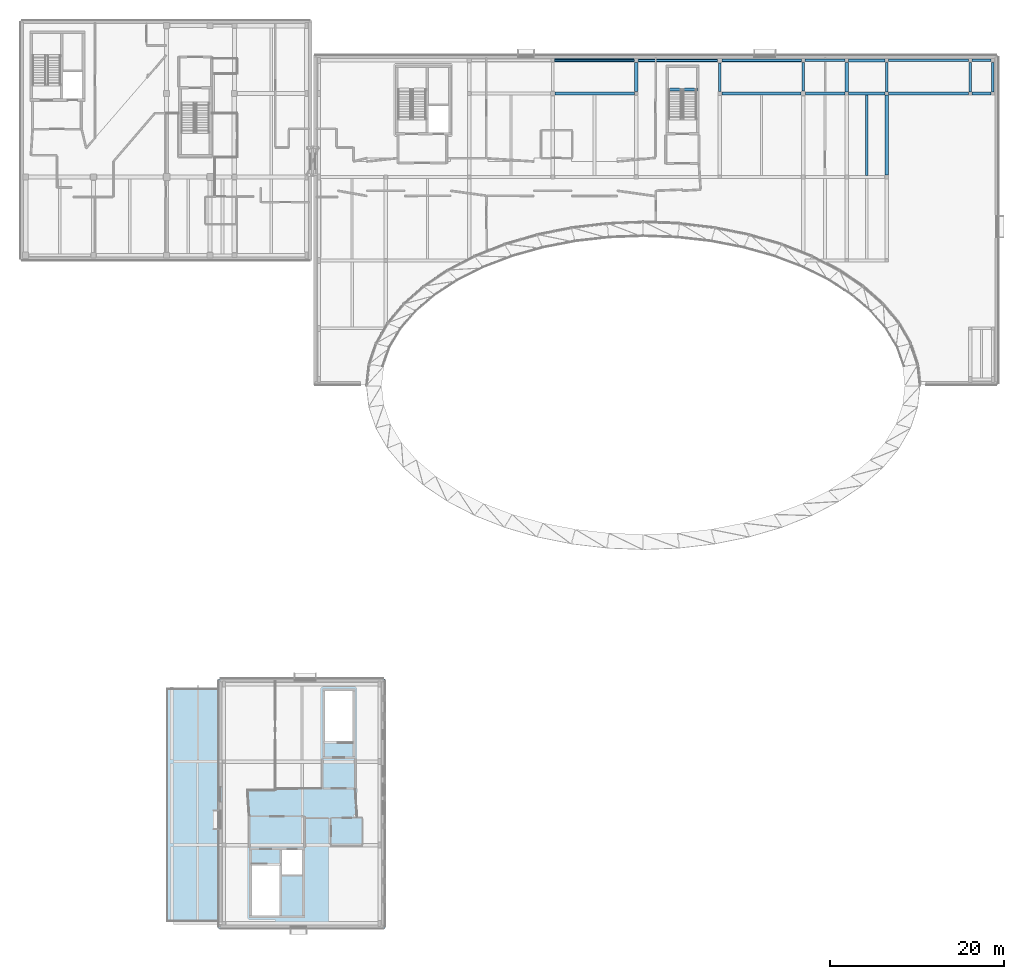
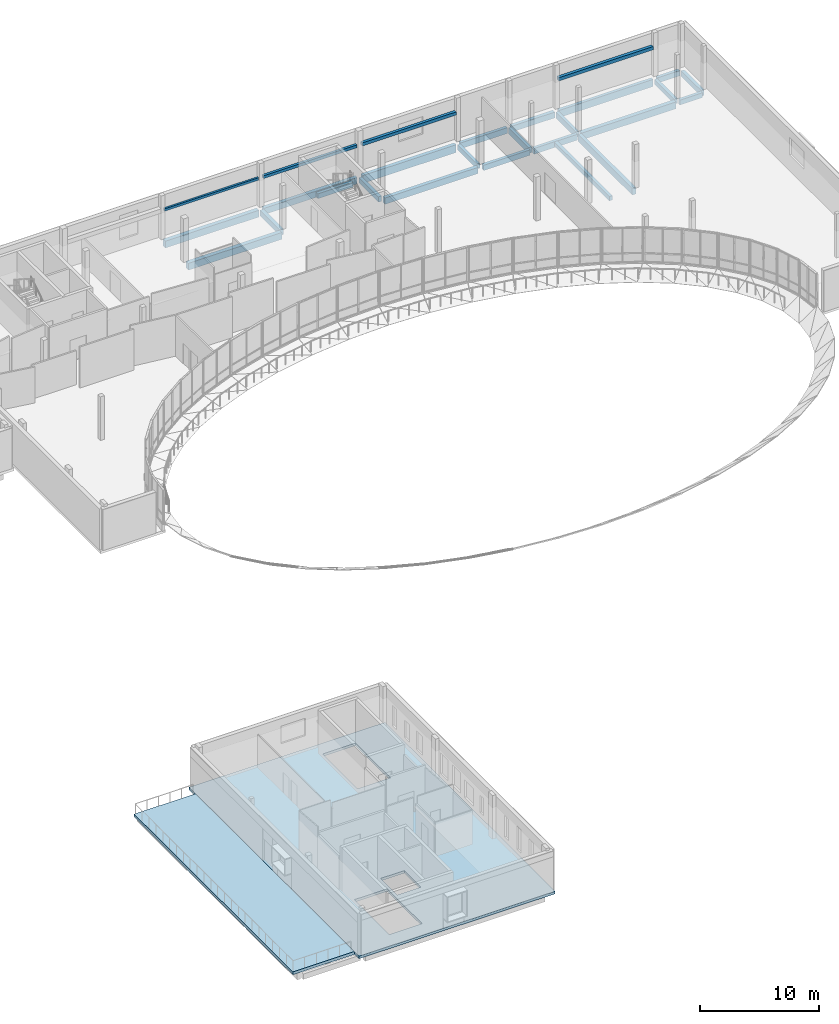
# One storey, part 17 of 41: 27 beams, 2 slabs.
"""IFC4 building model written with IfcOpenShell, lengths in metres."""

from ifc_helpers import new_model, si_unit, direction, frame, origin, origin_2d, place, context, subcontext, project, spatial, polyline, rectangle, outline, extrude, material, layer, layer_set, material_profile, profile_set, type_object, element, save


model = new_model("IFC4")

# Units and contexts
model_context = context("Model", 3, precision=1e-05, world=origin(), true_north=direction((0.0, 1.0)))
body_context = subcontext(model_context, "Body", "Model", "MODEL_VIEW")
ifc_project = project(units=[si_unit("LENGTHUNIT", "METRE"), si_unit("AREAUNIT", "SQUARE_METRE"), si_unit("VOLUMEUNIT", "CUBIC_METRE"), si_unit("PLANEANGLEUNIT", "RADIAN"), si_unit("MASSUNIT", "GRAM", prefix="KILO")], contexts=[model_context])

# Site, building, storey
site_placement = place(None, origin())
site = spatial("IfcSite", under=ifc_project, at=site_placement, CompositionType="ELEMENT")
building_placement = place(site_placement, origin())
building = spatial("IfcBuilding", under=site, at=building_placement, Name="Mzevani Central Library", CompositionType="ELEMENT")
storey_placement = place(building_placement, frame((0.0, 0.0, 13.800048828125)))
storey = spatial("IfcBuildingStorey", under=building, at=storey_placement, Name="L03", CompositionType="ELEMENT", Elevation=13.800048828125)

# Beams
ifc_material_1 = material(Name="Concrete C35/45", Category="concrete")
ifc_material_profile_1 = material_profile(ifc_material_1, rectangle(XDim=0.300048828125, YDim=0.5, at=origin_2d()), Name="RC B300x500")
ifc_profile_set_1 = profile_set([ifc_material_profile_1], Name="Concrete C35/45")
beam_type_1 = type_object("IfcBeamType", Name="Beam RC 300x500", PredefinedType="BEAM", material=ifc_profile_set_1)
beam_1_placement = place(storey_placement, frame((121.800048828125, 109.60009765625, -0.530029296875), z_axis=(1.0, 0.0, 0.0), x_axis=(0.0, 1.0, 0.0)))
element("IfcBeam", 1, at=beam_1_placement, inside=storey, type_object=beam_type_1, Name="L03 V3 Girder B-01 (652)", PredefinedType="BEAM", context=body_context, shape_type="SweptSolid", body=[
    extrude(rectangle(XDim=0.300048828125, YDim=0.5, at=origin_2d()), origin(), (0.0, 0.0, 1.0), 2.199951171875),
])
beam_2_placement = place(storey_placement, frame((102.39990234375, 109.875, -0.530029296875), z_axis=(0.0, 1.0, 0.0), x_axis=(-1.0, 0.0, 0.0)))
element("IfcBeam", 2, at=beam_2_placement, inside=storey, type_object=beam_type_1, Name="L03 V3 Frame Beam B-01 (680)", PredefinedType="BEAM", context=body_context, shape_type="SweptSolid", body=[
    extrude(rectangle(XDim=0.300048828125, YDim=0.5, at=origin_2d()), origin(), (0.0, 0.0, 1.0), 3.300048828125),
])
beam_3_placement = place(storey_placement, frame((121.60009765625, 109.800048828125, -0.530029296875), z_axis=(0.0, 1.0, 0.0), x_axis=(-1.0, 0.0, 0.0)))
element("IfcBeam", 3, at=beam_3_placement, inside=storey, type_object=beam_type_1, Name="L03 V3 Frame Beam B-01 (688)", PredefinedType="BEAM", context=body_context, shape_type="SweptSolid", body=[
    extrude(rectangle(XDim=0.300048828125, YDim=0.5, at=origin_2d()), origin(), (0.0, 0.0, 1.0), 3.375),
])
beam_4_placement = place(storey_placement, frame((86.780029296875, 110.06005859375, 1.800048828125), z_axis=(1.0, 0.0, 0.0), x_axis=(0.0, 1.0, 0.0)))
element("IfcBeam", 4, at=beam_4_placement, inside=storey, type_object=beam_type_1, Name="L03 Core C3B Atrium East Escape Stair Stair Landing Beam 1", PredefinedType="BEAM", context=body_context, shape_type="SweptSolid", body=[
    extrude(rectangle(XDim=0.300048828125, YDim=0.5, at=origin_2d()), origin(), (0.0, 0.0, 1.0), 3.43994140625),
])
ifc_material_profile_2 = material_profile(ifc_material_1, rectangle(XDim=0.300048828125, YDim=0.550048828125, at=origin_2d()), Name="RC B300x550")
ifc_profile_set_2 = profile_set([ifc_material_profile_2], Name="Concrete C35/45")
beam_type_2 = type_object("IfcBeamType", Name="Beam RC 300x550", PredefinedType="BEAM", material=ifc_profile_set_2)
beam_5_placement = place(storey_placement, frame((102.675048828125, 109.60009765625, -0.554931640625), z_axis=(1.0, 0.0, 0.0), x_axis=(0.0, 1.0, 0.0)))
element("IfcBeam", 5, at=beam_5_placement, inside=storey, type_object=beam_type_2, Name="L03 V3 Girder B-02 (649)", PredefinedType="BEAM", context=body_context, shape_type="SweptSolid", body=[
    extrude(rectangle(XDim=0.300048828125, YDim=0.550048828125, at=origin_2d()), origin(), (0.0, 0.0, 1.0), 4.52490234375),
])
beam_6_placement = place(storey_placement, frame((121.824951171875, 113.39990234375, -0.554931640625), z_axis=(1.0, 0.0, 0.0), x_axis=(0.0, 1.0, 0.0)))
element("IfcBeam", 6, at=beam_6_placement, inside=storey, type_object=beam_type_2, Name="L03 V3 Girder B-02 (661)", PredefinedType="BEAM", context=body_context, shape_type="SweptSolid", body=[
    extrude(rectangle(XDim=0.300048828125, YDim=0.550048828125, at=origin_2d()), origin(), (0.0, 0.0, 1.0), 2.150146484375),
])
beam_7_placement = place(storey_placement, frame((92.800048828125, 109.85009765625, -0.554931640625), z_axis=(0.0, 1.0, 0.0), x_axis=(-1.0, 0.0, 0.0)))
element("IfcBeam", 7, at=beam_7_placement, inside=storey, type_object=beam_type_2, Name="L03 V3 Frame Beam B-02 (677)", PredefinedType="BEAM", context=body_context, shape_type="SweptSolid", body=[
    extrude(rectangle(XDim=0.300048828125, YDim=0.550048828125, at=origin_2d()), origin(), (0.0, 0.0, 1.0), 3.27490234375),
])
ifc_material_profile_3 = material_profile(ifc_material_1, rectangle(XDim=0.300048828125, YDim=0.60009765625, at=origin_2d()), Name="RC B300x600")
ifc_profile_set_3 = profile_set([ifc_material_profile_3], Name="Concrete C35/45")
beam_type_3 = type_object("IfcBeamType", Name="Beam RC 300x600", PredefinedType="BEAM", material=ifc_profile_set_3)
beam_8_placement = place(storey_placement, frame((107.60009765625, 109.60009765625, -0.580078125), z_axis=(1.0, 0.0, 0.0), x_axis=(0.0, 1.0, 0.0)))
element("IfcBeam", 8, at=beam_8_placement, inside=storey, type_object=beam_type_3, Name="L03 V3 Girder B-03 (650)", PredefinedType="BEAM", context=body_context, shape_type="SweptSolid", body=[
    extrude(rectangle(XDim=0.300048828125, YDim=0.60009765625, at=origin_2d()), origin(), (0.0, 0.0, 1.0), 4.199951171875),
])
beam_9_placement = place(storey_placement, frame((102.625, 113.39990234375, -0.580078125), z_axis=(1.0, 0.0, 0.0), x_axis=(0.0, 1.0, 0.0)))
element("IfcBeam", 9, at=beam_9_placement, inside=storey, type_object=beam_type_3, Name="L03 V3 Girder B-03 (658)", PredefinedType="BEAM", context=body_context, shape_type="SweptSolid", body=[
    extrude(rectangle(XDim=0.300048828125, YDim=0.60009765625, at=origin_2d()), origin(), (0.0, 0.0, 1.0), 4.550048828125),
])
for number, where, z_axis, x_axis, name in (
    (10, (112.0, 109.800048828125, -0.580078125), (0.0, 1.0, 0.0), (-1.0, 0.0, 0.0), "L03 V3 Frame Beam B-03 (686)"),
    (11, (124.199951171875, 109.800048828125, -0.580078125), (0.0, 1.0, 0.0), (-1.0, 0.0, 0.0), "L03 V3 Frame Beam B-03 (690)"),
):
    element("IfcBeam", number, at=place(storey_placement, frame(where, z_axis=z_axis, x_axis=x_axis)), inside=storey, type_object=beam_type_3, Name=name, PredefinedType="BEAM", context=body_context, shape_type="SweptSolid", body=[
        extrude(rectangle(XDim=0.300048828125, YDim=0.60009765625, at=origin_2d()), origin(), (0.0, 0.0, 1.0), 3.375),
    ])
ifc_material_profile_4 = material_profile(ifc_material_1, rectangle(XDim=0.35009765625, YDim=0.60009765625, at=origin_2d()), Name="RC B350x600")
ifc_profile_set_4 = profile_set([ifc_material_profile_4], Name="Concrete C35/45")
beam_type_4 = type_object("IfcBeamType", Name="Beam RC 350x600", PredefinedType="BEAM", material=ifc_profile_set_4)
beam_10_placement = place(storey_placement, frame((107.625, 113.39990234375, -0.580078125), z_axis=(1.0, 0.0, 0.0), x_axis=(0.0, 1.0, 0.0)))
element("IfcBeam", 12, at=beam_10_placement, inside=storey, type_object=beam_type_4, Name="L03 V3 Girder B-04 (659)", PredefinedType="BEAM", context=body_context, shape_type="SweptSolid", body=[
    extrude(rectangle(XDim=0.35009765625, YDim=0.60009765625, at=origin_2d()), origin(), (0.0, 0.0, 1.0), 4.14990234375),
])
beam_11_placement = place(storey_placement, frame((83.199951171875, 109.824951171875, -0.580078125), z_axis=(0.0, 1.0, 0.0), x_axis=(-1.0, 0.0, 0.0)))
element("IfcBeam", 13, at=beam_11_placement, inside=storey, type_object=beam_type_4, Name="L03 V3 Frame Beam B-04 (675)", PredefinedType="BEAM", context=body_context, shape_type="SweptSolid", body=[
    extrude(rectangle(XDim=0.35009765625, YDim=0.60009765625, at=origin_2d()), origin(), (0.0, 0.0, 1.0), 3.324951171875),
])
beam_12_placement = place(storey_placement, frame((107.39990234375, 109.800048828125, -0.580078125), z_axis=(0.0, 1.0, 0.0), x_axis=(-1.0, 0.0, 0.0)))
element("IfcBeam", 14, at=beam_12_placement, inside=storey, type_object=beam_type_4, Name="L03 V3 Frame Beam B-04 (683)", PredefinedType="BEAM", context=body_context, shape_type="SweptSolid", body=[
    extrude(rectangle(XDim=0.35009765625, YDim=0.60009765625, at=origin_2d()), origin(), (0.0, 0.0, 1.0), 3.375),
])
ifc_material_profile_5 = material_profile(ifc_material_1, rectangle(XDim=0.35009765625, YDim=0.64990234375, at=origin_2d()), Name="RC B350x650")
ifc_profile_set_5 = profile_set([ifc_material_profile_5], Name="Concrete C35/45")
beam_type_5 = type_object("IfcBeamType", Name="Beam RC 350x650", PredefinedType="BEAM", material=ifc_profile_set_5)
for number, where, z_axis, x_axis, name in (
    (15, (93.050048828125, 109.60009765625, -0.60498046875), (1.0, 0.0, 0.0), (0.0, 1.0, 0.0), "L03 V3 Girder B-05 (648)"),
    (16, (83.449951171875, 113.39990234375, -0.60498046875), (1.0, 0.0, 0.0), (0.0, 1.0, 0.0), "L03 V3 Girder B-05 (656)"),
):
    element("IfcBeam", number, at=place(storey_placement, frame(where, z_axis=z_axis, x_axis=x_axis)), inside=storey, type_object=beam_type_5, Name=name, PredefinedType="BEAM", context=body_context, shape_type="SweptSolid", body=[
        extrude(rectangle(XDim=0.35009765625, YDim=0.64990234375, at=origin_2d()), origin(), (0.0, 0.0, 1.0), 9.074951171875),
    ])
ifc_material_profile_6 = material_profile(ifc_material_1, rectangle(XDim=0.35009765625, YDim=0.699951171875, at=origin_2d()), Name="RC B350x700")
ifc_profile_set_6 = profile_set([ifc_material_profile_6], Name="Concrete C35/45")
beam_type_6 = type_object("IfcBeamType", Name="Beam RC 350x700", PredefinedType="BEAM", material=ifc_profile_set_6)
beam_13_placement = place(storey_placement, frame((112.0, 100.25, -0.630126953125), z_axis=(0.0, 1.0, 0.0), x_axis=(-1.0, 0.0, 0.0)))
element("IfcBeam", 17, at=beam_13_placement, inside=storey, type_object=beam_type_6, Name="L03 V3 Frame Beam B-06 (685)", PredefinedType="BEAM", context=body_context, shape_type="SweptSolid", body=[
    extrude(rectangle(XDim=0.35009765625, YDim=0.699951171875, at=origin_2d()), origin(), (0.0, 0.0, 1.0), 9.14990234375),
])
ifc_material_profile_7 = material_profile(ifc_material_1, rectangle(XDim=0.39990234375, YDim=0.699951171875, at=origin_2d()), Name="RC B400x700")
ifc_profile_set_7 = profile_set([ifc_material_profile_7], Name="Concrete C35/45")
beam_type_7 = type_object("IfcBeamType", Name="Beam RC 400x700", PredefinedType="BEAM", material=ifc_profile_set_7)
beam_14_placement = place(storey_placement, frame((73.875, 109.60009765625, -0.630126953125), z_axis=(1.0, 0.0, 0.0), x_axis=(0.0, 1.0, 0.0)))
element("IfcBeam", 18, at=beam_14_placement, inside=storey, type_object=beam_type_7, Name="L03 V3 Girder B-08 (647)", PredefinedType="BEAM", context=body_context, shape_type="SweptSolid", body=[
    extrude(rectangle(XDim=0.39990234375, YDim=0.699951171875, at=origin_2d()), origin(), (0.0, 0.0, 1.0), 9.10009765625),
])
beam_15_placement = place(storey_placement, frame((112.199951171875, 109.60009765625, -0.630126953125), z_axis=(1.0, 0.0, 0.0), x_axis=(0.0, 1.0, 0.0)))
element("IfcBeam", 19, at=beam_15_placement, inside=storey, type_object=beam_type_7, Name="L03 V3 Girder B-08 (651)", PredefinedType="BEAM", context=body_context, shape_type="SweptSolid", body=[
    extrude(rectangle(XDim=0.39990234375, YDim=0.699951171875, at=origin_2d()), origin(), (0.0, 0.0, 1.0), 9.199951171875),
])
beam_16_placement = place(storey_placement, frame((73.824951171875, 113.39990234375, -0.630126953125), z_axis=(1.0, 0.0, 0.0), x_axis=(0.0, 1.0, 0.0)))
element("IfcBeam", 20, at=beam_16_placement, inside=storey, type_object=beam_type_7, Name="L03 V3 Girder B-08 (655)", PredefinedType="BEAM", context=body_context, shape_type="SweptSolid", body=[
    extrude(rectangle(XDim=0.39990234375, YDim=0.699951171875, at=origin_2d()), origin(), (0.0, 0.0, 1.0), 9.125),
])
ifc_material_2 = material(Name="Precast concrete C40/50", Category="concrete")
ifc_material_profile_8 = material_profile(ifc_material_2, rectangle(XDim=0.35009765625, YDim=0.800048828125, at=origin_2d()), Name="RC SP350x800")
ifc_profile_set_8 = profile_set([ifc_material_profile_8], Name="Precast concrete C40/50")
beam_type_8 = type_object("IfcBeamType", Name="Colonnade Fascia Beam RC 350x800", PredefinedType="SPANDREL", material=ifc_profile_set_8)
beam_17_placement = place(storey_placement, frame((93.074951171875, 113.39990234375, -0.679931640625), z_axis=(1.0, 0.0, 0.0), x_axis=(0.0, 1.0, 0.0)))
element("IfcBeam", 21, at=beam_17_placement, inside=storey, type_object=beam_type_8, Name="L03 V3 Girder SP-02 (657)", PredefinedType="SPANDREL", context=body_context, shape_type="SweptSolid", body=[
    extrude(rectangle(XDim=0.35009765625, YDim=0.800048828125, at=origin_2d()), origin(), (0.0, 0.0, 1.0), 9.10009765625),
])
ifc_material_profile_9 = material_profile(ifc_material_2, rectangle(XDim=0.300048828125, YDim=0.75, at=origin_2d()), Name="RC SP300x750")
ifc_profile_set_9 = profile_set([ifc_material_profile_9], Name="Precast concrete C40/50")
beam_type_9 = type_object("IfcBeamType", Name="Edge Spandrel Beam RC 300x750", PredefinedType="SPANDREL", material=ifc_profile_set_9)
beam_18_placement = place(storey_placement, frame((112.22509765625, 113.39990234375, -0.655029296875), z_axis=(1.0, 0.0, 0.0), x_axis=(0.0, 1.0, 0.0)))
element("IfcBeam", 22, at=beam_18_placement, inside=storey, type_object=beam_type_9, Name="L03 V3 Girder SP-01 (660)", PredefinedType="SPANDREL", context=body_context, shape_type="SweptSolid", body=[
    extrude(rectangle(XDim=0.300048828125, YDim=0.75, at=origin_2d()), origin(), (0.0, 0.0, 1.0), 9.14990234375),
])
ifc_material_profile_10 = material_profile(ifc_material_1, rectangle(XDim=0.300048828125, YDim=0.449951171875, at=origin_2d()), Name="RC J300x450")
ifc_profile_set_10 = profile_set([ifc_material_profile_10], Name="Concrete C35/45")
beam_type_10 = type_object("IfcBeamType", Name="Floor Joist RC 300x450", PredefinedType="JOIST", material=ifc_profile_set_10)
beam_19_placement = place(storey_placement, frame((109.699951171875, 100.14990234375, -0.505126953125), z_axis=(0.0, 1.0, 0.0), x_axis=(-1.0, 0.0, 0.0)))
element("IfcBeam", 23, at=beam_19_placement, inside=storey, type_object=beam_type_10, Name="L03 V3 Floor Joist BJ-03 (701)", PredefinedType="JOIST", context=body_context, shape_type="SweptSolid", body=[
    extrude(rectangle(XDim=0.300048828125, YDim=0.449951171875, at=origin_2d()), origin(), (0.0, 0.0, 1.0), 9.300048828125),
])
ifc_material_profile_11 = material_profile(ifc_material_2, rectangle(XDim=0.199951171875, YDim=0.25, at=origin_2d()), Name="PC LN200x250")
ifc_profile_set_11 = profile_set([ifc_material_profile_11], Name="Precast concrete C40/50")
beam_type_11 = type_object("IfcBeamType", Name="Precast Window Lintel 200x250", PredefinedType="LINTEL", material=ifc_profile_set_11)
beam_20_placement = place(storey_placement, frame((73.800048828125, 113.39990234375, 2.875), z_axis=(1.0, 0.0, 0.0), x_axis=(0.0, 1.0, 0.0)))
element("IfcBeam", 24, at=beam_20_placement, inside=storey, type_object=beam_type_11, Name="L03 V3 Precast Portal Lintel (55)", PredefinedType="LINTEL", context=body_context, shape_type="SweptSolid", body=[
    extrude(rectangle(XDim=0.199951171875, YDim=0.25, at=origin_2d()), origin(), (0.0, 0.0, 1.0), 9.175048828125),
])
ifc_material_profile_12 = material_profile(ifc_material_2, rectangle(XDim=0.25, YDim=0.300048828125, at=origin_2d()), Name="PC LN250x300")
ifc_profile_set_12 = profile_set([ifc_material_profile_12], Name="Precast concrete C40/50")
beam_type_12 = type_object("IfcBeamType", Name="Precast Window Lintel 250x300", PredefinedType="LINTEL", material=ifc_profile_set_12)
beam_21_placement = place(storey_placement, frame((83.425048828125, 113.39990234375, 2.89990234375), z_axis=(1.0, 0.0, 0.0), x_axis=(0.0, 1.0, 0.0)))
element("IfcBeam", 25, at=beam_21_placement, inside=storey, type_object=beam_type_12, Name="L03 V3 Precast Portal Lintel (56)", PredefinedType="LINTEL", context=body_context, shape_type="SweptSolid", body=[
    extrude(rectangle(XDim=0.25, YDim=0.300048828125, at=origin_2d()), origin(), (0.0, 0.0, 1.0), 9.125),
])
ifc_material_profile_13 = material_profile(ifc_material_2, rectangle(XDim=0.280029296875, YDim=0.320068359375, at=origin_2d()), Name="PC LN280x320")
ifc_profile_set_13 = profile_set([ifc_material_profile_13], Name="Precast concrete C40/50")
beam_type_13 = type_object("IfcBeamType", Name="Precast Window Lintel 280x320", PredefinedType="LINTEL", material=ifc_profile_set_13)
beam_22_placement = place(storey_placement, frame((93.050048828125, 113.39990234375, 2.909912109375), z_axis=(1.0, 0.0, 0.0), x_axis=(0.0, 1.0, 0.0)))
element("IfcBeam", 26, at=beam_22_placement, inside=storey, type_object=beam_type_13, Name="L03 V3 Precast Portal Lintel (57)", PredefinedType="LINTEL", context=body_context, shape_type="SweptSolid", body=[
    extrude(rectangle(XDim=0.280029296875, YDim=0.320068359375, at=origin_2d()), origin(), (0.0, 0.0, 1.0), 9.14990234375),
])
ifc_material_profile_14 = material_profile(ifc_material_2, rectangle(XDim=0.300048828125, YDim=0.35009765625, at=origin_2d()), Name="PC LN300x350")
ifc_profile_set_14 = profile_set([ifc_material_profile_14], Name="Precast concrete C40/50")
beam_type_14 = type_object("IfcBeamType", Name="Precast Window Lintel 300x350", PredefinedType="LINTEL", material=ifc_profile_set_14)
beam_23_placement = place(storey_placement, frame((112.199951171875, 113.39990234375, 2.925048828125), z_axis=(1.0, 0.0, 0.0), x_axis=(0.0, 1.0, 0.0)))
element("IfcBeam", 27, at=beam_23_placement, inside=storey, type_object=beam_type_14, Name="L03 V3 Precast Portal Lintel (58)", PredefinedType="LINTEL", context=body_context, shape_type="SweptSolid", body=[
    extrude(rectangle(XDim=0.300048828125, YDim=0.35009765625, at=origin_2d()), origin(), (0.0, 0.0, 1.0), 9.199951171875),
])

# Slabs
ifc_layer_1 = layer(ifc_material_1, 0.300048828125, Name="Planted Roof Garden Slab 300")
ifc_layer_set_1 = layer_set([ifc_layer_1], Name="Concrete C35/45")
slab_type_1 = type_object("IfcSlabType", Name="Planted Roof Garden Slab 300", PredefinedType="FLOOR", material=ifc_layer_set_1)
slab_1_placement = place(storey_placement, frame((0.0, 0.0, -0.300048828125)))
element("IfcSlab", 28, at=slab_1_placement, inside=storey, type_object=slab_type_1, Name="L03 Cultural Wing Planted Roof Garden", PredefinedType="FLOOR", context=body_context, shape_type="SweptSolid", body=[
    extrude(outline(polyline([(35.199951171875, 41.199951171875), (35.199951171875, 14.39990234375), (29.199951171875, 14.39990234375), (29.199951171875, 41.199951171875), (35.199951171875, 41.199951171875)])), origin(), (0.0, 0.0, 1.0), 0.300048828125),
])
ifc_layer_2 = layer(ifc_material_1, 0.260009765625, Name="Public Reading Floor Slab 260")
ifc_layer_set_2 = layer_set([ifc_layer_2], Name="Concrete C35/45")
slab_type_2 = type_object("IfcSlabType", Name="Public Reading Floor Slab 260", PredefinedType="FLOOR", material=ifc_layer_set_2)
slab_2_placement = place(storey_placement, frame((0.0, 0.0, -0.260009765625)))
element("IfcSlab", 29, at=slab_2_placement, inside=storey, type_object=slab_type_2, Name="L03 V4 Structural Slab FS-02", PredefinedType="FLOOR", context=body_context, shape_type="SweptSolid", body=[
    extrude(outline(polyline([(54.300048828125, 13.60009765625), (35.199951171875, 13.60009765625), (35.199951171875, 42.300048828125), (54.300048828125, 42.300048828125), (54.300048828125, 13.60009765625)]), holes=[polyline([(39.0, 21.0), (39.0, 15.10009765625), (42.199951171875, 15.10009765625), (42.199951171875, 21.0), (39.0, 21.0)]), polyline([(42.5, 19.800048828125), (44.800048828125, 19.800048828125), (44.800048828125, 22.60009765625), (42.5, 22.60009765625), (42.5, 19.800048828125)]), polyline([(50.60009765625, 35.0), (50.60009765625, 40.89990234375), (47.39990234375, 40.89990234375), (47.39990234375, 35.0), (50.60009765625, 35.0)])]), origin(), (0.0, 0.0, 1.0), 0.260009765625),
])

save(model, "model.ifc")
